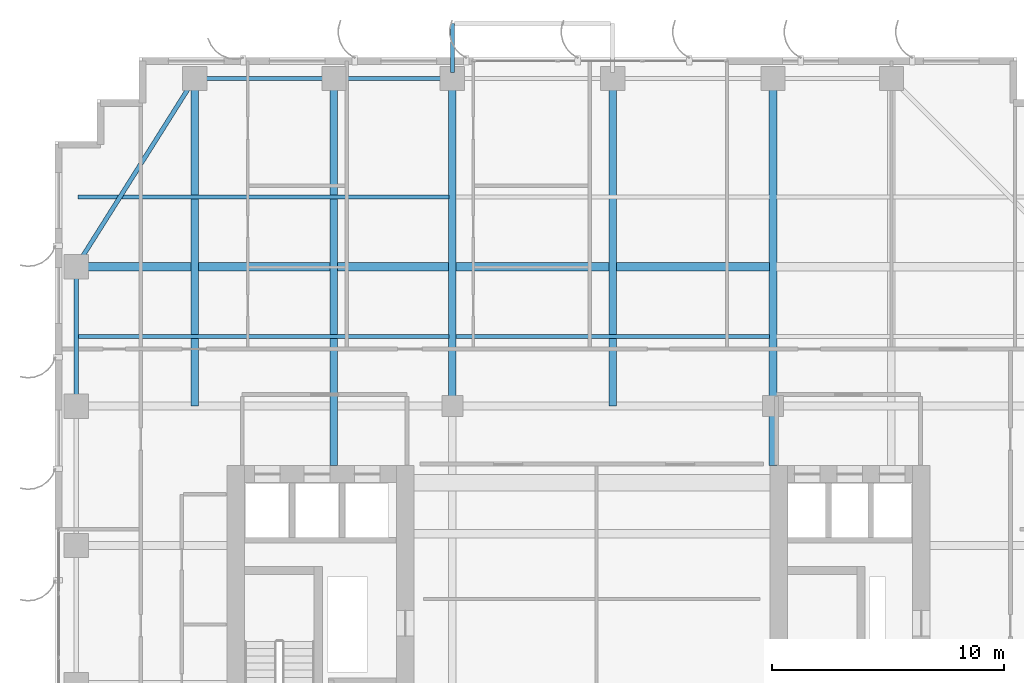
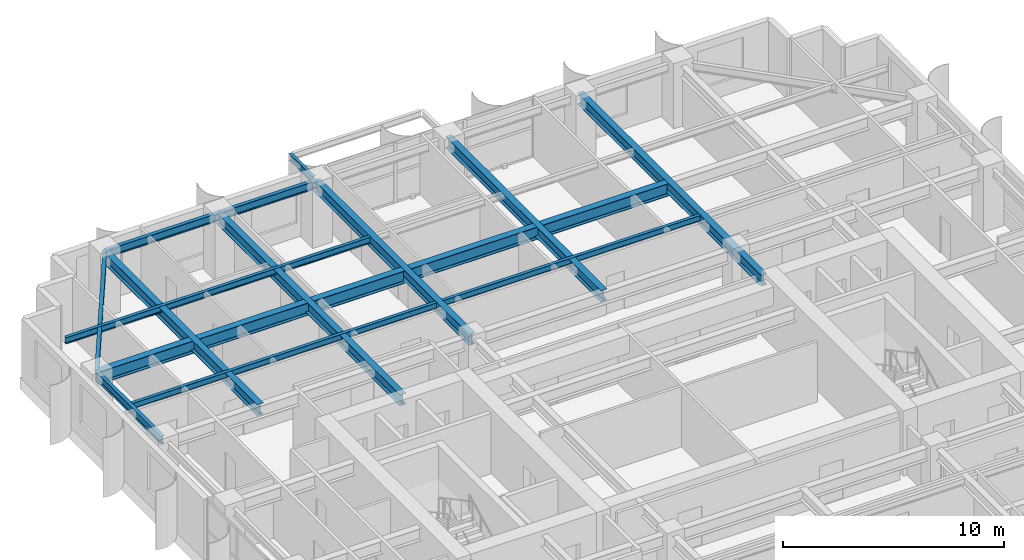
# One storey, part 14 of 23: 15 beams.
"""IFC4 building model written with IfcOpenShell, lengths in metres."""

from ifc_helpers import new_model, si_unit, direction, frame, origin, origin_2d, place, context, subcontext, project, spatial, i_section, extrude, source, transform, mapped, material, material_profile, profile_set, type_object, element, save


model = new_model("IFC4")

# Units and contexts
model_context = context("Model", 3, precision=1e-05, world=origin(), true_north=direction((0.0, 1.0)))
body_context = subcontext(model_context, "Body", "Model", "MODEL_VIEW")
ifc_project = project(units=[si_unit("LENGTHUNIT", "METRE"), si_unit("AREAUNIT", "SQUARE_METRE"), si_unit("VOLUMEUNIT", "CUBIC_METRE"), si_unit("PLANEANGLEUNIT", "RADIAN"), si_unit("MASSUNIT", "GRAM", prefix="KILO")], contexts=[model_context])

# Site, building, storey
site_placement = place(None, origin())
site = spatial("IfcSite", under=ifc_project, at=site_placement, CompositionType="ELEMENT")
building_placement = place(site_placement, origin())
building = spatial("IfcBuilding", under=site, at=building_placement, Name="Khoralis Quay Care Tower", CompositionType="ELEMENT")
storey_placement = place(building_placement, frame((0.0, 0.0, 83.699951171875)))
storey = spatial("IfcBuildingStorey", under=building, at=storey_placement, Name="L21", CompositionType="ELEMENT", Elevation=83.699951171875)

# Beams
ifc_material = material(Name="Steel S355", Category="steel")
ifc_material_profile_1 = material_profile(ifc_material, i_section(OverallWidth=0.18994140625, OverallDepth=0.449951171875, WebThickness=0.009521484375, FlangeThickness=0.0146484375, FilletRadius=0.02099609375, at=origin_2d()), Name="Steel S355")
ifc_profile_set_1 = profile_set([ifc_material_profile_1], Name="Steel S355")
beam_type_1 = type_object("IfcBeamType", Name="BM-IPE450", PredefinedType="SPANDREL", material=ifc_profile_set_1)
shared_shape_1 = source(origin(), body_context, "Body", "SweptSolid", [
    extrude(i_section(OverallWidth=0.18994140625, OverallDepth=0.449951171875, WebThickness=0.009521484375, FlangeThickness=0.0146484375, FilletRadius=0.02099609375, at=origin_2d()), origin(), (0.0, 0.0, 1.0), 6.0),
])
for number, where, z_axis, x_axis, name in (
    (1, (6.0, 44.10009765625, 3.114990234375), (1.0, 0.0, 0.0), (0.0, 1.0, 0.0), "BM-TSP-L21-06"),
    (2, (0.89990234375, 30.0, 3.114990234375), (0.0, 1.0, 0.0), (-1.0, 0.0, 0.0), "BM-TSP-L21-15"),
):
    element("IfcBeam", number, at=place(storey_placement, frame(where, z_axis=z_axis, x_axis=x_axis)), inside=storey, type_object=beam_type_1, Name=name, PredefinedType="SPANDREL", context=body_context, shape_type="MappedRepresentation", body=[
        mapped(shared_shape_1, transform((0.0, 0.0, 0.0), scale=1.0)),
    ])
shared_shape_2 = source(origin(), body_context, "Body", "SweptSolid", [
    extrude(i_section(OverallWidth=0.18994140625, OverallDepth=0.449951171875, WebThickness=0.009521484375, FlangeThickness=0.0146484375, FilletRadius=0.02099609375, at=origin_2d()), origin(), (0.0, 0.0, 1.0), 5.10009765625),
])
beam_1_placement = place(storey_placement, frame((12.0, 44.10009765625, 3.114990234375), z_axis=(1.0, 0.0, 0.0), x_axis=(0.0, 1.0, 0.0)))
element("IfcBeam", 3, at=beam_1_placement, inside=storey, type_object=beam_type_1, Name="BM-TSP-L21-07", PredefinedType="SPANDREL", context=body_context, shape_type="MappedRepresentation", body=[
    mapped(shared_shape_2, transform((0.0, 0.0, 0.0), scale=1.0)),
])
ifc_material_profile_2 = material_profile(ifc_material, i_section(OverallWidth=0.35498046875, OverallDepth=0.695068359375, WebThickness=0.015380859375, FlangeThickness=0.02490234375, FilletRadius=0.02001953125, at=origin_2d()), Name="Steel S355")
ifc_profile_set_2 = profile_set([ifc_material_profile_2], Name="Steel S355")
beam_type_2 = type_object("IfcBeamType", Name="BM-W690X217", PredefinedType="BEAM", material=ifc_profile_set_2)
shared_shape_3 = source(origin(), body_context, "Body", "SweptSolid", [
    extrude(i_section(OverallWidth=0.35498046875, OverallDepth=0.695068359375, WebThickness=0.015380859375, FlangeThickness=0.02490234375, FilletRadius=0.02001953125, at=origin_2d()), origin(), (0.0, 0.0, 1.0), 16.049560546875),
])
beam_2_placement = place(storey_placement, frame((0.89990234375, 36.0, 2.992431640625), z_axis=(1.0, 0.0, 0.0), x_axis=(0.0, 1.0, 0.0)))
element("IfcBeam", 4, at=beam_2_placement, inside=storey, type_object=beam_type_2, Name="BM-TGXW-L21-360", PredefinedType="BEAM", context=body_context, shape_type="MappedRepresentation", body=[
    mapped(shared_shape_3, transform((0.0, 0.0, 0.0), scale=1.0)),
])
shared_shape_4 = source(origin(), body_context, "Body", "SweptSolid", [
    extrude(i_section(OverallWidth=0.35498046875, OverallDepth=0.695068359375, WebThickness=0.015380859375, FlangeThickness=0.02490234375, FilletRadius=0.02001953125, at=origin_2d()), origin(), (0.0, 0.0, 1.0), 13.4990234375),
])
beam_3_placement = place(storey_placement, frame((17.25048828125, 36.0, 2.992431640625), z_axis=(1.0, 0.0, 0.0), x_axis=(0.0, 1.0, 0.0)))
element("IfcBeam", 5, at=beam_3_placement, inside=storey, type_object=beam_type_2, Name="BM-TGCC-L21-360", PredefinedType="BEAM", context=body_context, shape_type="MappedRepresentation", body=[
    mapped(shared_shape_4, transform((0.0, 0.0, 0.0), scale=1.0)),
])
ifc_material_profile_3 = material_profile(ifc_material, i_section(OverallWidth=0.1708984375, OverallDepth=0.35498046875, WebThickness=0.007080078125, FlangeThickness=0.01171875, FilletRadius=0.012939453125, at=origin_2d()), Name="Steel S355")
ifc_profile_set_3 = profile_set([ifc_material_profile_3], Name="Steel S355")
beam_type_3 = type_object("IfcBeamType", Name="BM-W360X51", PredefinedType="JOIST", material=ifc_profile_set_3)
shared_shape_5 = source(origin(), body_context, "Body", "SweptSolid", [
    extrude(i_section(OverallWidth=0.1708984375, OverallDepth=0.35498046875, WebThickness=0.007080078125, FlangeThickness=0.01171875, FilletRadius=0.012939453125, at=origin_2d()), origin(), (0.0, 0.0, 1.0), 15.968505859375),
])
for number, where, z_axis, x_axis, name in (
    (6, (0.98095703125, 33.0, 3.16259765625), (1.0, 0.0, 0.0), (0.0, 1.0, 0.0), "BM-TJS-L21-28"),
    (7, (0.98095703125, 39.0, 3.16259765625), (1.0, 0.0, 0.0), (0.0, 1.0, 0.0), "BM-TJS-L21-31"),
):
    element("IfcBeam", number, at=place(storey_placement, frame(where, z_axis=z_axis, x_axis=x_axis)), inside=storey, type_object=beam_type_3, Name=name, PredefinedType="JOIST", context=body_context, shape_type="MappedRepresentation", body=[
        mapped(shared_shape_5, transform((0.0, 0.0, 0.0), scale=1.0)),
    ])
shared_shape_6 = source(origin(), body_context, "Body", "SweptSolid", [
    extrude(i_section(OverallWidth=0.1708984375, OverallDepth=0.35498046875, WebThickness=0.007080078125, FlangeThickness=0.01171875, FilletRadius=0.012939453125, at=origin_2d()), origin(), (0.0, 0.0, 1.0), 13.4990234375),
])
beam_4_placement = place(storey_placement, frame((17.25048828125, 33.0, 3.16259765625), z_axis=(1.0, 0.0, 0.0), x_axis=(0.0, 1.0, 0.0)))
element("IfcBeam", 8, at=beam_4_placement, inside=storey, type_object=beam_type_3, Name="BM-TJS-L21-30", PredefinedType="JOIST", context=body_context, shape_type="MappedRepresentation", body=[
    mapped(shared_shape_6, transform((0.0, 0.0, 0.0), scale=1.0)),
])
shared_shape_7 = source(origin(), body_context, "Body", "SweptSolid", [
    extrude(i_section(OverallWidth=0.18994140625, OverallDepth=0.449951171875, WebThickness=0.009521484375, FlangeThickness=0.0146484375, FilletRadius=0.02099609375, at=origin_2d()), origin(), (0.0, 0.0, 1.0), 9.572021484375),
])
beam_5_placement = place(storey_placement, frame((6.0, 44.10009765625, 3.114990234375), z_axis=(-0.532815975602, -0.846231136359, 0.0), x_axis=(0.846231136359, -0.532815975602, 0.0)))
element("IfcBeam", 9, at=beam_5_placement, inside=storey, type_object=beam_type_1, Name="BM-TCR-L21-23", PredefinedType="SPANDREL", context=body_context, shape_type="MappedRepresentation", body=[
    mapped(shared_shape_7, transform((0.0, 0.0, 0.0), scale=1.0)),
])
ifc_material_profile_4 = material_profile(ifc_material, i_section(OverallWidth=0.324951171875, OverallDepth=0.615966796875, WebThickness=0.013916015625, FlangeThickness=0.021484375, FilletRadius=0.01806640625, at=origin_2d()), Name="Steel S355")
ifc_profile_set_4 = profile_set([ifc_material_profile_4], Name="Steel S355")
beam_type_4 = type_object("IfcBeamType", Name="BM-W610X174", PredefinedType="BEAM", material=ifc_profile_set_4)
shared_shape_8 = source(origin(), body_context, "Body", "SweptSolid", [
    extrude(i_section(OverallWidth=0.324951171875, OverallDepth=0.615966796875, WebThickness=0.013916015625, FlangeThickness=0.021484375, FilletRadius=0.01806640625, at=origin_2d()), origin(), (0.0, 0.0, 1.0), 14.10009765625),
])
for number, where, z_axis, x_axis, name in (
    (10, (6.0, 30.0, 3.031982421875), (0.0, 1.0, 0.0), (-1.0, 0.0, 0.0), "BM-TGYN-L21-60"),
    (11, (17.10009765625, 30.0, 3.031982421875), (0.0, 1.0, 0.0), (-1.0, 0.0, 0.0), "BM-TGYN-L21-171"),
    (12, (24.0, 30.0, 3.031982421875), (0.0, 1.0, 0.0), (-1.0, 0.0, 0.0), "BM-TGYN-L21-240"),
):
    element("IfcBeam", number, at=place(storey_placement, frame(where, z_axis=z_axis, x_axis=x_axis)), inside=storey, type_object=beam_type_4, Name=name, PredefinedType="BEAM", context=body_context, shape_type="MappedRepresentation", body=[
        mapped(shared_shape_8, transform((0.0, 0.0, 0.0), scale=1.0)),
    ])
shared_shape_9 = source(origin(), body_context, "Body", "SweptSolid", [
    extrude(i_section(OverallWidth=0.324951171875, OverallDepth=0.615966796875, WebThickness=0.013916015625, FlangeThickness=0.021484375, FilletRadius=0.01806640625, at=origin_2d()), origin(), (0.0, 0.0, 1.0), 16.652099609375),
])
for number, where, z_axis, x_axis, name in (
    (13, (12.0, 27.447998046875, 3.031982421875), (0.0, 1.0, 0.0), (-1.0, 0.0, 0.0), "BM-TGYN-L21-120"),
    (14, (30.89990234375, 27.447998046875, 3.031982421875), (0.0, 1.0, 0.0), (-1.0, 0.0, 0.0), "BM-TGYN-L21-309"),
):
    element("IfcBeam", number, at=place(storey_placement, frame(where, z_axis=z_axis, x_axis=x_axis)), inside=storey, type_object=beam_type_4, Name=name, PredefinedType="BEAM", context=body_context, shape_type="MappedRepresentation", body=[
        mapped(shared_shape_9, transform((0.0, 0.0, 0.0), scale=1.0)),
    ])
ifc_material_profile_5 = material_profile(ifc_material, i_section(OverallWidth=0.169921875, OverallDepth=0.360107421875, WebThickness=0.008056640625, FlangeThickness=0.0126953125, FilletRadius=0.01806640625, at=origin_2d()), Name="Steel S355")
ifc_profile_set_5 = profile_set([ifc_material_profile_5], Name="Steel S355")
beam_type_5 = type_object("IfcBeamType", Name="BM-IPE360", PredefinedType="SPANDREL", material=ifc_profile_set_5)
shared_shape_10 = source(origin(), body_context, "Body", "SweptSolid", [
    extrude(i_section(OverallWidth=0.169921875, OverallDepth=0.360107421875, WebThickness=0.008056640625, FlangeThickness=0.0126953125, FilletRadius=0.01806640625, at=origin_2d()), origin(), (0.0, 0.0, 1.0), 2.119873046875),
])
beam_6_placement = place(storey_placement, frame((17.10009765625, 44.35009765625, 3.1640625), z_axis=(0.0, 1.0, 0.0), x_axis=(-1.0, 0.0, 0.0)))
element("IfcBeam", 15, at=beam_6_placement, inside=storey, type_object=beam_type_5, Name="L22 Balcony Cantilever Outrigger Beam 1", PredefinedType="SPANDREL", context=body_context, shape_type="MappedRepresentation", body=[
    mapped(shared_shape_10, transform((0.0, 0.0, 0.0), scale=1.0)),
])

save(model, "model.ifc")
